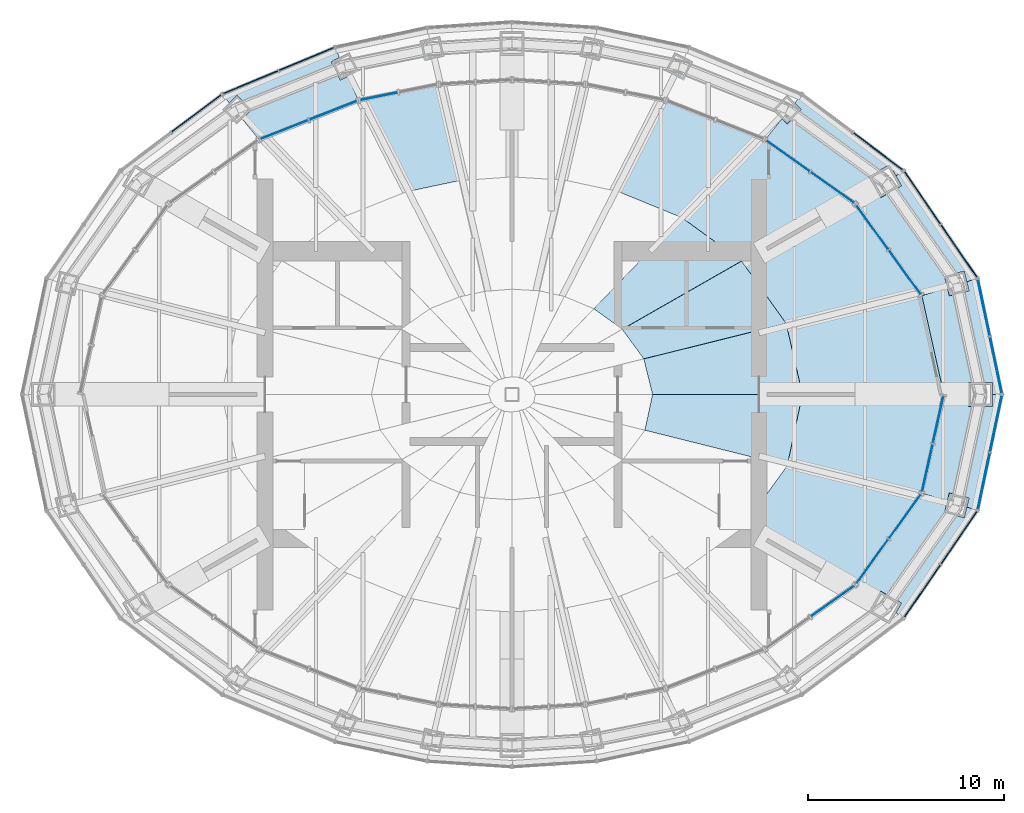
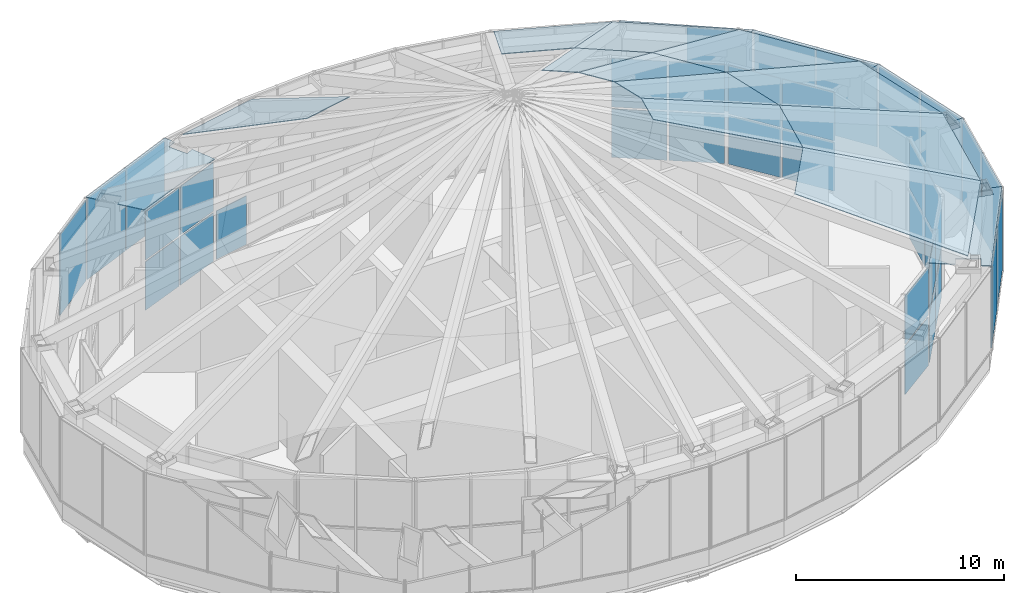
# One storey, part 17 of 21: 52 plates, 14 elements without a shape of their own.
"""IFC4 building model written with IfcOpenShell, lengths in metres."""

import ifcopenshell
import ifcopenshell.guid

model = None  # the IFC model being written
_history = None  # IfcOwnerHistory: only IFC2X3 demands one
_inside = {}  # id of a spatial element -> (the spatial element, [elements in it])
_under = {}  # id of a project, library or spatial element -> (it, [spatial elements below it])
_declared = {}  # id of a project -> (the project, [libraries it declares])
_typed = {}  # id of a type object -> (the type object, [elements of that type])
_made_of = {}  # id of a material, layer set ... -> (it, [elements and type objects made of it])


def new_model(schema):
    """Start an empty IFC model of exactly this schema.

    Asked for "IFC4X3", IfcOpenShell would pick the latest addendum, in which some entities
    have other attributes; the version numbers below select the first issue.
    IFC2X3 requires an IfcOwnerHistory on every rooted entity: one is made here for all.
    """
    global model, _history
    if schema == "IFC4X3":
        model = ifcopenshell.file(schema_version=(4, 3, 0, 0))
    else:
        model = ifcopenshell.file(schema=schema)
    _inside.clear()
    _under.clear()
    _declared.clear()
    _typed.clear()
    _made_of.clear()
    _history = None
    if model.schema == "IFC2X3":
        org = make("IfcOrganization", Name="unknown")
        user = make(
            "IfcPersonAndOrganization",
            ThePerson=make("IfcPerson", FamilyName="unknown"),
            TheOrganization=org,
        )
        app = make(
            "IfcApplication",
            ApplicationDeveloper=org,
            Version="unknown",
            ApplicationFullName="unknown",
            ApplicationIdentifier="unknown",
        )
        _history = make(
            "IfcOwnerHistory",
            OwningUser=user,
            OwningApplication=app,
            ChangeAction="ADDED",
            CreationDate=0,
        )
    return model


def make(cls, **values):
    """One entity of the class cls with the attributes given. An attribute that is None is left unset."""
    return model.create_entity(
        cls, **{name: value for name, value in values.items() if value is not None}
    )


def rooted(cls, **values):
    """An entity with a GlobalId (a new one), such as an element, a storey or a relation."""
    return make(cls, GlobalId=ifcopenshell.guid.new(), OwnerHistory=_history, **values)


def si_unit(unit_type, name, prefix=None):
    """IfcSIUnit, for example si_unit("LENGTHUNIT", "METRE", prefix="MILLI")."""
    return make("IfcSIUnit", UnitType=unit_type, Prefix=prefix, Name=name)


def assignment(units):
    """IfcUnitAssignment: the units of a project."""
    return None if units is None else make("IfcUnitAssignment", Units=units)


def point(xyz):
    """IfcCartesianPoint."""
    return None if xyz is None else make("IfcCartesianPoint", Coordinates=xyz)


def direction(xyz):
    """IfcDirection."""
    return None if xyz is None else make("IfcDirection", DirectionRatios=xyz)


def frame(location, z_axis=None, x_axis=None):
    """IfcAxis2Placement3D, a coordinate frame: its origin and axes. An axis left out is left unset."""
    return make(
        "IfcAxis2Placement3D",
        Location=point(location),
        Axis=direction(z_axis),
        RefDirection=direction(x_axis),
    )


def frame_2d(location, x_axis=None):
    """IfcAxis2Placement2D, a coordinate frame in the plane: its origin and x axis."""
    return make(
        "IfcAxis2Placement2D", Location=point(location), RefDirection=direction(x_axis)
    )


def origin():
    """The frame at (0, 0, 0) with its axes left unset."""
    return frame((0.0, 0.0, 0.0))


def origin_2d():
    """The frame at (0, 0) in the plane with its x axis left unset."""
    return frame_2d((0.0, 0.0))


def place(relative_to, where):
    """IfcLocalPlacement: puts the frame where relative to a parent placement (None: the world)."""
    return make(
        "IfcLocalPlacement", PlacementRelTo=relative_to, RelativePlacement=where
    )


def context(
    kind, dimensions, precision=None, world=None, true_north=None, identifier=None
):
    """IfcGeometricRepresentationContext, for example the 3D "Model" context."""
    return make(
        "IfcGeometricRepresentationContext",
        ContextIdentifier=identifier,
        ContextType=kind,
        CoordinateSpaceDimension=dimensions,
        Precision=precision,
        WorldCoordinateSystem=world,
        TrueNorth=true_north,
    )


def subcontext(parent, identifier, kind, view, scale=None):
    """IfcGeometricRepresentationSubContext, for example "Body" below "Model"."""
    return make(
        "IfcGeometricRepresentationSubContext",
        ContextIdentifier=identifier,
        ContextType=kind,
        ParentContext=parent,
        TargetScale=scale,
        TargetView=view,
    )


def project(units=None, contexts=None):
    """IfcProject with its units and contexts."""
    return rooted(
        "IfcProject",
        Name="project",
        RepresentationContexts=contexts,
        UnitsInContext=assignment(units),
    )


def spatial(cls, under=None, at=None, **own):
    """A site, building, storey or space (cls), placed at a placement, below another one or the project."""
    s = rooted(cls, ObjectPlacement=at, **own)
    if under is not None:
        _under.setdefault(under.id(), (under, []))[1].append(s)
    return s


def polyline(points):
    """IfcPolyline through the points."""
    return make("IfcPolyline", Points=[point(p) for p in points])


def profile(cls, at=None, kind="AREA", **sizes):
    """A parametric profile (cls). Its sizes go by their IFC names, for example OverallWidth=200.0."""
    return make(cls, ProfileType=kind, Position=at, **sizes)


def rectangle(**sizes):
    """IfcRectangleProfileDef."""
    return profile("IfcRectangleProfileDef", **sizes)


def outline(outer, holes=None, kind="AREA"):
    """IfcArbitraryClosedProfileDef: a profile drawn as a closed curve; with holes, ...WithVoids."""
    if holes is None:
        return make("IfcArbitraryClosedProfileDef", ProfileType=kind, OuterCurve=outer)
    return make(
        "IfcArbitraryProfileDefWithVoids",
        ProfileType=kind,
        OuterCurve=outer,
        InnerCurves=holes,
    )


def extrude(swept, where, along, depth):
    """IfcExtrudedAreaSolid: the profile swept, set in the frame where, extruded along a direction by depth."""
    return make(
        "IfcExtrudedAreaSolid",
        SweptArea=swept,
        Position=where,
        ExtrudedDirection=direction(along),
        Depth=depth,
    )


def shape(context_of_items, identifier, shape_type, items):
    """IfcShapeRepresentation: the items that make up one representation, for example the "Body"."""
    return make(
        "IfcShapeRepresentation",
        ContextOfItems=context_of_items,
        RepresentationIdentifier=identifier,
        RepresentationType=shape_type,
        Items=items,
    )


def material(Name=None, Category=None):
    """IfcMaterial."""
    return make("IfcMaterial", Name=Name, Category=Category)


def layer(
    of_material, thickness, ventilated=None, Name=None, Category=None, Priority=None
):
    """IfcMaterialLayer: one layer of a wall or slab, of a material (None: an air gap)."""
    return make(
        "IfcMaterialLayer",
        Material=of_material,
        LayerThickness=thickness,
        IsVentilated=ventilated,
        Name=Name,
        Category=Category,
        Priority=Priority,
    )


def layer_set(layers, Name=None):
    """IfcMaterialLayerSet."""
    return make("IfcMaterialLayerSet", MaterialLayers=layers, LayerSetName=Name)


def made_of(thing, what):
    """Note that an element or type object is made of a material, layer set ...; save() writes the relation."""
    if what is not None:
        _made_of.setdefault(what.id(), (what, []))[1].append(thing)
    return thing


def type_object(cls, material=None, **own):
    """A type object (cls), such as IfcWallType, which elements share."""
    return made_of(rooted(cls, **own), material)


def element(
    cls,
    number,
    at=None,
    inside=None,
    cuts=None,
    type_object=None,
    material=None,
    context=None,
    identifier="Body",
    shape_type=None,
    held_by="IfcProductDefinitionShape",
    body=None,
    shapes=None,
    **own,
):
    """One element of the class cls, such as IfcWall. Its Tag is "e" and its number.

    at: its placement. inside: the storey or other place that contains it. cuts: it is an
    opening in that element (IfcRelVoidsElement). A single representation is given by context,
    identifier, shape_type and body (its items); several are given by shapes. held_by: the class
    of the entity that holds the representations. save() writes the other relations.
    """
    e = rooted(cls, Tag="e%d" % number, ObjectPlacement=at, **own)
    if body is not None:
        shapes = [shape(context, identifier, shape_type, body)]
    if shapes is not None:
        e.Representation = make(held_by, Representations=shapes)
    if inside is not None:
        _inside.setdefault(inside.id(), (inside, []))[1].append(e)
    if cuts is not None:
        rooted(
            "IfcRelVoidsElement", RelatingBuildingElement=cuts, RelatedOpeningElement=e
        )
    if type_object is not None:
        _typed.setdefault(type_object.id(), (type_object, []))[1].append(e)
    return made_of(e, material)


def aggregate(whole, parts):
    """IfcRelAggregates: a whole, such as a stair, and the parts it consists of."""
    return rooted("IfcRelAggregates", RelatingObject=whole, RelatedObjects=parts)


def save(model, path):
    """Write the relations noted so far, then the file.

    IfcRelAggregates (storeys below a building ...), IfcRelContainedInSpatialStructure (elements
    in a storey), IfcRelDefinesByType, IfcRelAssociatesMaterial and IfcRelDeclares: one each for
    every whole, place, type object, material and project.
    """
    for whole, parts in _under.values():
        aggregate(whole, parts)
    for where, things in _inside.values():
        rooted(
            "IfcRelContainedInSpatialStructure",
            RelatedElements=things,
            RelatingStructure=where,
        )
    for kind, things in _typed.values():
        rooted("IfcRelDefinesByType", RelatedObjects=things, RelatingType=kind)
    for what, things in _made_of.values():
        rooted("IfcRelAssociatesMaterial", RelatedObjects=things, RelatingMaterial=what)
    for by, libraries in _declared.values():
        rooted("IfcRelDeclares", RelatingContext=by, RelatedDefinitions=libraries)
    model.write(path)


model = new_model("IFC4")

# Units and contexts
model_context = context("Model", 3, precision=1e-05, world=origin(), true_north=direction((0.0, 1.0)))
body_context = subcontext(model_context, "Body", "Model", "MODEL_VIEW")
ifc_project = project(units=[si_unit("LENGTHUNIT", "METRE"), si_unit("AREAUNIT", "SQUARE_METRE"), si_unit("VOLUMEUNIT", "CUBIC_METRE"), si_unit("PLANEANGLEUNIT", "RADIAN"), si_unit("MASSUNIT", "GRAM", prefix="KILO")], contexts=[model_context])

# Site, building, storey
site_placement = place(None, origin())
site = spatial("IfcSite", under=ifc_project, at=site_placement, CompositionType="ELEMENT")
building_placement = place(site_placement, origin())
building = spatial("IfcBuilding", under=site, at=building_placement, Name="Lantaw Convention Tower", CompositionType="ELEMENT")
storey_placement = place(building_placement, frame((0.0, 0.0, 290.39990234375)))
storey = spatial("IfcBuildingStorey", under=building, at=storey_placement, Name="L67", CompositionType="ELEMENT", Elevation=290.39990234375)

# Curtain wall, plates
ifc_material_1 = material(Name="Aluminium framed curtain wall", Category="aluminium")
curtain_wall_type_1 = type_object("IfcCurtainWallType", Name="LANTERN glazing curtain wall, pale aluminium", PredefinedType="USERDEFINED", material=ifc_material_1)
curtain_wall_1_placement = place(storey_placement, origin())
curtain_wall_1 = element("IfcCurtainWall", 1, at=curtain_wall_1_placement, inside=storey, type_object=curtain_wall_type_1, Name="LANTERN glazing curtain wall, pale aluminium L67", ObjectType="LANTERN GLAZING", PredefinedType="USERDEFINED")
ifc_material_2 = material(Name="Low-iron laminated glass", Category="glass")
ifc_layer_1 = layer(ifc_material_2, 0.035888671875)
ifc_layer_set_1 = layer_set([ifc_layer_1], Name="CW-LN panel 36")
plate_type_1 = type_object("IfcPlateType", Name="CW-LN panel 36", PredefinedType="CURTAIN_PANEL", material=ifc_layer_set_1)
plate_1_placement = place(storey_placement, frame((20.04638671875, 6.2255859375, 0.10009765625), z_axis=(0.0, 0.0, 1.0), x_axis=(-0.586786346995, 0.809741800193, 0.0)))
plate_1 = element("IfcPlate", 2, at=plate_1_placement, type_object=plate_type_1, Name="CW-LN panel 1.1", PredefinedType="CURTAIN_PANEL", context=body_context, shape_type="SweptSolid", body=[
    extrude(rectangle(XDim=2.73876953125, YDim=0.035888671875, at=origin_2d()), origin(), (0.0, 0.0, 1.0), 2.85009765625),
])
plate_2_placement = place(storey_placement, frame((20.04638671875, 6.2255859375, 3.050048828125), z_axis=(0.0, 0.0, 1.0), x_axis=(-0.586786346995, 0.809741800193, 0.0)))
plate_2 = element("IfcPlate", 3, at=plate_2_placement, type_object=plate_type_1, Name="CW-LN panel 1.2", PredefinedType="CURTAIN_PANEL", context=body_context, shape_type="SweptSolid", body=[
    extrude(rectangle(XDim=2.73876953125, YDim=0.035888671875, at=origin_2d()), origin(), (0.0, 0.0, 1.0), 2.85009765625),
])
plate_3_placement = place(storey_placement, frame((18.380615234375, 8.524169921875, 0.10009765625), z_axis=(0.0, 0.0, 1.0), x_axis=(-0.586786346995, 0.809741800193, 0.0)))
plate_3 = element("IfcPlate", 4, at=plate_3_placement, type_object=plate_type_1, Name="CW-LN panel 2.1", PredefinedType="CURTAIN_PANEL", context=body_context, shape_type="SweptSolid", body=[
    extrude(rectangle(XDim=2.73876953125, YDim=0.035888671875, at=origin_2d()), origin(), (0.0, 0.0, 1.0), 2.85009765625),
])
plate_4_placement = place(storey_placement, frame((18.380615234375, 8.524169921875, 3.050048828125), z_axis=(0.0, 0.0, 1.0), x_axis=(-0.586786346995, 0.809741800193, 0.0)))
plate_4 = element("IfcPlate", 5, at=plate_4_placement, type_object=plate_type_1, Name="CW-LN panel 2.2", PredefinedType="CURTAIN_PANEL", context=body_context, shape_type="SweptSolid", body=[
    extrude(rectangle(XDim=2.73876953125, YDim=0.035888671875, at=origin_2d()), origin(), (0.0, 0.0, 1.0), 2.85009765625),
])
aggregate(curtain_wall_1, [plate_1, plate_2, plate_3, plate_4])

curtain_wall_2_placement = place(storey_placement, origin())
curtain_wall_2 = element("IfcCurtainWall", 6, at=curtain_wall_2_placement, inside=storey, type_object=curtain_wall_type_1, Name="LANTERN glazing curtain wall, pale aluminium L67", ObjectType="LANTERN GLAZING", PredefinedType="USERDEFINED")
plate_5_placement = place(storey_placement, frame((16.344970703125, 10.549072265625, 0.10009765625), z_axis=(0.0, 0.0, 1.0), x_axis=(-0.814841441337, 0.579683901346, 0.0)))
plate_5 = element("IfcPlate", 7, at=plate_5_placement, type_object=plate_type_1, Name="CW-LN panel 1.1", PredefinedType="CURTAIN_PANEL", context=body_context, shape_type="SweptSolid", body=[
    extrude(rectangle(XDim=2.680419921875, YDim=0.035888671875, at=origin_2d()), origin(), (0.0, 0.0, 1.0), 2.85009765625),
])
plate_6_placement = place(storey_placement, frame((16.344970703125, 10.549072265625, 3.050048828125), z_axis=(0.0, 0.0, 1.0), x_axis=(-0.814841441337, 0.579683901346, 0.0)))
plate_6 = element("IfcPlate", 8, at=plate_6_placement, type_object=plate_type_1, Name="CW-LN panel 1.2", PredefinedType="CURTAIN_PANEL", context=body_context, shape_type="SweptSolid", body=[
    extrude(rectangle(XDim=2.680419921875, YDim=0.035888671875, at=origin_2d()), origin(), (0.0, 0.0, 1.0), 2.85009765625),
])
plate_7_placement = place(storey_placement, frame((14.079345703125, 12.16064453125, 0.10009765625), z_axis=(0.0, 0.0, 1.0), x_axis=(-0.814841441337, 0.579683901346, 0.0)))
plate_7 = element("IfcPlate", 9, at=plate_7_placement, type_object=plate_type_1, Name="CW-LN panel 2.1", PredefinedType="CURTAIN_PANEL", context=body_context, shape_type="SweptSolid", body=[
    extrude(rectangle(XDim=2.680419921875, YDim=0.035888671875, at=origin_2d()), origin(), (0.0, 0.0, 1.0), 2.85009765625),
])
plate_8_placement = place(storey_placement, frame((14.079345703125, 12.16064453125, 3.050048828125), z_axis=(0.0, 0.0, 1.0), x_axis=(-0.814841441337, 0.579683901346, 0.0)))
plate_8 = element("IfcPlate", 10, at=plate_8_placement, type_object=plate_type_1, Name="CW-LN panel 2.2", PredefinedType="CURTAIN_PANEL", context=body_context, shape_type="SweptSolid", body=[
    extrude(rectangle(XDim=2.680419921875, YDim=0.035888671875, at=origin_2d()), origin(), (0.0, 0.0, 1.0), 2.85009765625),
])
aggregate(curtain_wall_2, [plate_5, plate_6, plate_7, plate_8])

# Curtain wall, plate
curtain_wall_3_placement = place(storey_placement, origin())
curtain_wall_3 = element("IfcCurtainWall", 11, at=curtain_wall_3_placement, inside=storey, type_object=curtain_wall_type_1, Name="LANTERN glazing curtain wall, pale aluminium L67", ObjectType="LANTERN GLAZING", PredefinedType="USERDEFINED")
plate_9_placement = place(storey_placement, frame((-6.789306640625, 15.2041015625, 0.10009765625), z_axis=(0.0, 0.0, 1.0), x_axis=(-0.980530423622, -0.196367228305, 0.0)))
plate_9 = element("IfcPlate", 12, at=plate_9_placement, type_object=plate_type_1, Name="CW-LN panel 2.1", PredefinedType="CURTAIN_PANEL", context=body_context, shape_type="SweptSolid", body=[
    extrude(rectangle(XDim=1.936279296875, YDim=0.035888671875, at=origin_2d()), origin(), (0.0, 0.0, 1.0), 2.85009765625),
])
aggregate(curtain_wall_3, [plate_9])

# Curtain wall, plates
curtain_wall_4_placement = place(storey_placement, origin())
curtain_wall_4 = element("IfcCurtainWall", 13, at=curtain_wall_4_placement, inside=storey, type_object=curtain_wall_type_1, Name="LANTERN glazing curtain wall, pale aluminium L67", ObjectType="LANTERN GLAZING", PredefinedType="USERDEFINED")
plate_10_placement = place(storey_placement, frame((-9.127197265625, 14.4853515625, 0.10009765625), z_axis=(0.0, 0.0, 1.0), x_axis=(-0.930299050885, -0.366801957358, 0.0)))
plate_10 = element("IfcPlate", 14, at=plate_10_placement, type_object=plate_type_1, Name="CW-LN panel 1.1", PredefinedType="CURTAIN_PANEL", context=body_context, shape_type="SweptSolid", body=[
    extrude(rectangle(XDim=2.574462890625, YDim=0.035888671875, at=origin_2d()), origin(), (0.0, 0.0, 1.0), 2.85009765625),
])
plate_11_placement = place(storey_placement, frame((-9.127197265625, 14.4853515625, 3.050048828125), z_axis=(0.0, 0.0, 1.0), x_axis=(-0.930299050885, -0.366801957358, 0.0)))
plate_11 = element("IfcPlate", 15, at=plate_11_placement, type_object=plate_type_1, Name="CW-LN panel 1.2", PredefinedType="CURTAIN_PANEL", context=body_context, shape_type="SweptSolid", body=[
    extrude(rectangle(XDim=2.574462890625, YDim=0.035888671875, at=origin_2d()), origin(), (0.0, 0.0, 1.0), 2.85009765625),
])
plate_12_placement = place(storey_placement, frame((-11.615234375, 13.50439453125, 0.10009765625), z_axis=(0.0, 0.0, 1.0), x_axis=(-0.930299050885, -0.366801957358, 0.0)))
plate_12 = element("IfcPlate", 16, at=plate_12_placement, type_object=plate_type_1, Name="CW-LN panel 2.1", PredefinedType="CURTAIN_PANEL", context=body_context, shape_type="SweptSolid", body=[
    extrude(rectangle(XDim=2.574462890625, YDim=0.035888671875, at=origin_2d()), origin(), (0.0, 0.0, 1.0), 2.85009765625),
])
plate_13_placement = place(storey_placement, frame((-11.615234375, 13.50439453125, 3.050048828125), z_axis=(0.0, 0.0, 1.0), x_axis=(-0.930299050885, -0.366801957358, 0.0)))
plate_13 = element("IfcPlate", 17, at=plate_13_placement, type_object=plate_type_1, Name="CW-LN panel 2.2", PredefinedType="CURTAIN_PANEL", context=body_context, shape_type="SweptSolid", body=[
    extrude(rectangle(XDim=2.574462890625, YDim=0.035888671875, at=origin_2d()), origin(), (0.0, 0.0, 1.0), 2.85009765625),
])
aggregate(curtain_wall_4, [plate_10, plate_11, plate_12, plate_13])

curtain_wall_5_placement = place(storey_placement, origin())
curtain_wall_5 = element("IfcCurtainWall", 18, at=curtain_wall_5_placement, inside=storey, type_object=curtain_wall_type_1, Name="LANTERN glazing curtain wall, pale aluminium L67", ObjectType="LANTERN GLAZING", PredefinedType="USERDEFINED")
plate_14_placement = place(storey_placement, frame((16.344970703125, -10.549072265625, 0.10009765625), z_axis=(0.0, 0.0, 1.0), x_axis=(0.814841441337, 0.579683901346, 0.0)))
plate_14 = element("IfcPlate", 19, at=plate_14_placement, type_object=plate_type_1, Name="CW-LN panel 2.1", PredefinedType="CURTAIN_PANEL", context=body_context, shape_type="SweptSolid", body=[
    extrude(rectangle(XDim=2.680419921875, YDim=0.035888671875, at=origin_2d()), origin(), (0.0, 0.0, 1.0), 2.85009765625),
])
plate_15_placement = place(storey_placement, frame((16.344970703125, -10.549072265625, 3.050048828125), z_axis=(0.0, 0.0, 1.0), x_axis=(0.814841441337, 0.579683901346, 0.0)))
plate_15 = element("IfcPlate", 20, at=plate_15_placement, type_object=plate_type_1, Name="CW-LN panel 2.2", PredefinedType="CURTAIN_PANEL", context=body_context, shape_type="SweptSolid", body=[
    extrude(rectangle(XDim=2.680419921875, YDim=0.035888671875, at=origin_2d()), origin(), (0.0, 0.0, 1.0), 2.85009765625),
])
aggregate(curtain_wall_5, [plate_14, plate_15])

curtain_wall_6_placement = place(storey_placement, origin())
curtain_wall_6 = element("IfcCurtainWall", 21, at=curtain_wall_6_placement, inside=storey, type_object=curtain_wall_type_1, Name="LANTERN glazing curtain wall, pale aluminium L67", ObjectType="LANTERN GLAZING", PredefinedType="USERDEFINED")
plate_16_placement = place(storey_placement, frame((18.380615234375, -8.524169921875, 0.10009765625), z_axis=(0.0, 0.0, 1.0), x_axis=(0.586786346995, 0.809741800193, 0.0)))
plate_16 = element("IfcPlate", 22, at=plate_16_placement, type_object=plate_type_1, Name="CW-LN panel 1.1", PredefinedType="CURTAIN_PANEL", context=body_context, shape_type="SweptSolid", body=[
    extrude(rectangle(XDim=2.73876953125, YDim=0.035888671875, at=origin_2d()), origin(), (0.0, 0.0, 1.0), 2.85009765625),
])
plate_17_placement = place(storey_placement, frame((18.380615234375, -8.524169921875, 3.050048828125), z_axis=(0.0, 0.0, 1.0), x_axis=(0.586786346995, 0.809741800193, 0.0)))
plate_17 = element("IfcPlate", 23, at=plate_17_placement, type_object=plate_type_1, Name="CW-LN panel 1.2", PredefinedType="CURTAIN_PANEL", context=body_context, shape_type="SweptSolid", body=[
    extrude(rectangle(XDim=2.73876953125, YDim=0.035888671875, at=origin_2d()), origin(), (0.0, 0.0, 1.0), 2.85009765625),
])
plate_18_placement = place(storey_placement, frame((20.04638671875, -6.2255859375, 0.10009765625), z_axis=(0.0, 0.0, 1.0), x_axis=(0.586786346995, 0.809741800193, 0.0)))
plate_18 = element("IfcPlate", 24, at=plate_18_placement, type_object=plate_type_1, Name="CW-LN panel 2.1", PredefinedType="CURTAIN_PANEL", context=body_context, shape_type="SweptSolid", body=[
    extrude(rectangle(XDim=2.73876953125, YDim=0.035888671875, at=origin_2d()), origin(), (0.0, 0.0, 1.0), 2.85009765625),
])
plate_19_placement = place(storey_placement, frame((20.04638671875, -6.2255859375, 3.050048828125), z_axis=(0.0, 0.0, 1.0), x_axis=(0.586786346995, 0.809741800193, 0.0)))
plate_19 = element("IfcPlate", 25, at=plate_19_placement, type_object=plate_type_1, Name="CW-LN panel 2.2", PredefinedType="CURTAIN_PANEL", context=body_context, shape_type="SweptSolid", body=[
    extrude(rectangle(XDim=2.73876953125, YDim=0.035888671875, at=origin_2d()), origin(), (0.0, 0.0, 1.0), 2.85009765625),
])
aggregate(curtain_wall_6, [plate_16, plate_17, plate_18, plate_19])

curtain_wall_7_placement = place(storey_placement, origin())
curtain_wall_7 = element("IfcCurtainWall", 26, at=curtain_wall_7_placement, inside=storey, type_object=curtain_wall_type_1, Name="LANTERN glazing curtain wall, pale aluminium L67", ObjectType="LANTERN GLAZING", PredefinedType="USERDEFINED")
plate_20_placement = place(storey_placement, frame((21.193603515625, -3.75244140625, 0.10009765625), z_axis=(0.0, 0.0, 1.0), x_axis=(0.216765379683, 0.976223729568, 0.0)))
plate_20 = element("IfcPlate", 27, at=plate_20_placement, type_object=plate_type_1, Name="CW-LN panel 1.1", PredefinedType="CURTAIN_PANEL", context=body_context, shape_type="SweptSolid", body=[
    extrude(rectangle(XDim=2.42919921875, YDim=0.035888671875, at=origin_2d()), origin(), (0.0, 0.0, 1.0), 2.85009765625),
])
plate_21_placement = place(storey_placement, frame((21.193603515625, -3.75244140625, 3.050048828125), z_axis=(0.0, 0.0, 1.0), x_axis=(0.216765379683, 0.976223729568, 0.0)))
plate_21 = element("IfcPlate", 28, at=plate_21_placement, type_object=plate_type_1, Name="CW-LN panel 1.2", PredefinedType="CURTAIN_PANEL", context=body_context, shape_type="SweptSolid", body=[
    extrude(rectangle(XDim=2.42919921875, YDim=0.035888671875, at=origin_2d()), origin(), (0.0, 0.0, 1.0), 2.85009765625),
])
plate_22_placement = place(storey_placement, frame((21.741943359375, -1.283203125, 0.10009765625), z_axis=(0.0, 0.0, 1.0), x_axis=(0.216765379683, 0.976223729568, 0.0)))
plate_22 = element("IfcPlate", 29, at=plate_22_placement, type_object=plate_type_1, Name="CW-LN panel 2.1", PredefinedType="CURTAIN_PANEL", context=body_context, shape_type="SweptSolid", body=[
    extrude(rectangle(XDim=2.42919921875, YDim=0.035888671875, at=origin_2d()), origin(), (0.0, 0.0, 1.0), 2.85009765625),
])
plate_23_placement = place(storey_placement, frame((21.741943359375, -1.283203125, 3.050048828125), z_axis=(0.0, 0.0, 1.0), x_axis=(0.216765379683, 0.976223729568, 0.0)))
plate_23 = element("IfcPlate", 30, at=plate_23_placement, type_object=plate_type_1, Name="CW-LN panel 2.2", PredefinedType="CURTAIN_PANEL", context=body_context, shape_type="SweptSolid", body=[
    extrude(rectangle(XDim=2.42919921875, YDim=0.035888671875, at=origin_2d()), origin(), (0.0, 0.0, 1.0), 2.85009765625),
])
aggregate(curtain_wall_7, [plate_20, plate_21, plate_22, plate_23])

curtain_wall_type_2 = type_object("IfcCurtainWallType", Name="Plant floor louvre wall, pale aluminium", PredefinedType="USERDEFINED", material=ifc_material_1)
curtain_wall_8_placement = place(storey_placement, origin())
curtain_wall_8 = element("IfcCurtainWall", 31, at=curtain_wall_8_placement, inside=storey, type_object=curtain_wall_type_2, Name="Plant floor louvre wall, pale aluminium L67", ObjectType="LOUVRE WALL", PredefinedType="USERDEFINED")
ifc_material_3 = material(Name="Aluminium louvre blades", Category="aluminium")
ifc_layer_2 = layer(ifc_material_3, 0.050048828125)
ifc_layer_set_2 = layer_set([ifc_layer_2], Name="CW-LV panel 50")
plate_type_2 = type_object("IfcPlateType", Name="CW-LV panel 50", PredefinedType="CURTAIN_PANEL", material=ifc_layer_set_2)
plate_24_placement = place(storey_placement, frame((24.68505859375, 1.497802734375, 1.169921875), z_axis=(0.0, 0.0, 1.0), x_axis=(-0.205814054946, 0.978591117263, 0.0)))
plate_24 = element("IfcPlate", 32, at=plate_24_placement, type_object=plate_type_2, Name="CW-LV panel 1.1", PredefinedType="CURTAIN_PANEL", context=body_context, shape_type="SweptSolid", body=[
    extrude(rectangle(XDim=2.921142578125, YDim=0.050048828125, at=origin_2d()), origin(), (0.0, 0.0, 1.0), 4.760009765625),
])
plate_25_placement = place(storey_placement, frame((24.0693359375, 4.4248046875, 1.169921875), z_axis=(0.0, 0.0, 1.0), x_axis=(-0.205814054946, 0.978591117263, 0.0)))
plate_25 = element("IfcPlate", 33, at=plate_25_placement, type_object=plate_type_2, Name="CW-LV panel 2.1", PredefinedType="CURTAIN_PANEL", context=body_context, shape_type="SweptSolid", body=[
    extrude(rectangle(XDim=2.921142578125, YDim=0.050048828125, at=origin_2d()), origin(), (0.0, 0.0, 1.0), 4.760009765625),
])
aggregate(curtain_wall_8, [plate_24, plate_25])

curtain_wall_9_placement = place(storey_placement, origin())
curtain_wall_9 = element("IfcCurtainWall", 34, at=curtain_wall_9_placement, inside=storey, type_object=curtain_wall_type_2, Name="Plant floor louvre wall, pale aluminium L67", ObjectType="LOUVRE WALL", PredefinedType="USERDEFINED")
plate_26_placement = place(storey_placement, frame((22.80126953125, 7.31103515625, 1.169921875), z_axis=(0.0, 0.0, 1.0), x_axis=(-0.565934832921, 0.824449977189, 0.0)))
plate_26 = element("IfcPlate", 35, at=plate_26_placement, type_object=plate_type_2, Name="CW-LV panel 1.1", PredefinedType="CURTAIN_PANEL", context=body_context, shape_type="SweptSolid", body=[
    extrude(rectangle(XDim=3.22802734375, YDim=0.050048828125, at=origin_2d()), origin(), (0.0, 0.0, 1.0), 4.760009765625),
])
plate_27_placement = place(storey_placement, frame((20.93505859375, 10.030029296875, 1.169921875), z_axis=(0.0, 0.0, 1.0), x_axis=(-0.565934832921, 0.824449977189, 0.0)))
plate_27 = element("IfcPlate", 36, at=plate_27_placement, type_object=plate_type_2, Name="CW-LV panel 2.1", PredefinedType="CURTAIN_PANEL", context=body_context, shape_type="SweptSolid", body=[
    extrude(rectangle(XDim=3.22802734375, YDim=0.050048828125, at=origin_2d()), origin(), (0.0, 0.0, 1.0), 4.760009765625),
])
aggregate(curtain_wall_9, [plate_26, plate_27])

# Curtain wall, plate
curtain_wall_10_placement = place(storey_placement, origin())
curtain_wall_10 = element("IfcCurtainWall", 37, at=curtain_wall_10_placement, inside=storey, type_object=curtain_wall_type_2, Name="Plant floor louvre wall, pale aluminium L67", ObjectType="LOUVRE WALL", PredefinedType="USERDEFINED")
plate_28_placement = place(storey_placement, frame((18.67041015625, 12.403564453125, 1.169921875), z_axis=(0.0, 0.0, 1.0), x_axis=(-0.799517528732, 0.600642756762, 0.0)))
plate_28 = element("IfcPlate", 38, at=plate_28_placement, type_object=plate_type_2, Name="CW-LV panel 1.1", PredefinedType="CURTAIN_PANEL", context=body_context, shape_type="SweptSolid", body=[
    extrude(rectangle(XDim=3.140869140625, YDim=0.050048828125, at=origin_2d()), origin(), (0.0, 0.0, 1.0), 4.760009765625),
])
aggregate(curtain_wall_10, [plate_28])

# Curtain wall, plates
curtain_wall_11_placement = place(storey_placement, origin())
curtain_wall_11 = element("IfcCurtainWall", 39, at=curtain_wall_11_placement, inside=storey, type_object=curtain_wall_type_2, Name="Plant floor louvre wall, pale aluminium L67", ObjectType="LOUVRE WALL", PredefinedType="USERDEFINED")
plate_29_placement = place(storey_placement, frame((-10.48486328125, 17.111083984375, 1.169921875), z_axis=(0.0, 0.0, 1.0), x_axis=(-0.923141777124, -0.384459697924, 0.0)))
plate_29 = element("IfcPlate", 40, at=plate_29_placement, type_object=plate_type_2, Name="CW-LV panel 1.1", PredefinedType="CURTAIN_PANEL", context=body_context, shape_type="SweptSolid", body=[
    extrude(rectangle(XDim=3.01708984375, YDim=0.050048828125, at=origin_2d()), origin(), (0.0, 0.0, 1.0), 4.760009765625),
])
plate_30_placement = place(storey_placement, frame((-13.334716796875, 15.92431640625, 1.169921875), z_axis=(0.0, 0.0, 1.0), x_axis=(-0.923141777124, -0.384459697924, 0.0)))
plate_30 = element("IfcPlate", 41, at=plate_30_placement, type_object=plate_type_2, Name="CW-LV panel 2.1", PredefinedType="CURTAIN_PANEL", context=body_context, shape_type="SweptSolid", body=[
    extrude(rectangle(XDim=3.01708984375, YDim=0.050048828125, at=origin_2d()), origin(), (0.0, 0.0, 1.0), 4.760009765625),
])
aggregate(curtain_wall_11, [plate_29, plate_30])

# Curtain wall, plate
curtain_wall_12_placement = place(storey_placement, origin())
curtain_wall_12 = element("IfcCurtainWall", 42, at=curtain_wall_12_placement, inside=storey, type_object=curtain_wall_type_2, Name="Plant floor louvre wall, pale aluminium L67", ObjectType="LOUVRE WALL", PredefinedType="USERDEFINED")
plate_31_placement = place(storey_placement, frame((-16.103271484375, 14.33203125, 1.169921875), z_axis=(0.0, 0.0, 1.0), x_axis=(-0.799517528732, -0.600642756762, 0.0)))
plate_31 = element("IfcPlate", 43, at=plate_31_placement, type_object=plate_type_2, Name="CW-LV panel 1.1", PredefinedType="CURTAIN_PANEL", context=body_context, shape_type="SweptSolid", body=[
    extrude(rectangle(XDim=3.140869140625, YDim=0.050048828125, at=origin_2d()), origin(), (0.0, 0.0, 1.0), 4.760009765625),
])
aggregate(curtain_wall_12, [plate_31])

# Curtain wall, plates
curtain_wall_13_placement = place(storey_placement, origin())
curtain_wall_13 = element("IfcCurtainWall", 44, at=curtain_wall_13_placement, inside=storey, type_object=curtain_wall_type_2, Name="Plant floor louvre wall, pale aluminium L67", ObjectType="LOUVRE WALL", PredefinedType="USERDEFINED")
plate_32_placement = place(storey_placement, frame((20.93505859375, -10.030029296875, 1.169921875), z_axis=(0.0, 0.0, 1.0), x_axis=(0.565934832921, 0.824449977189, 0.0)))
plate_32 = element("IfcPlate", 45, at=plate_32_placement, type_object=plate_type_2, Name="CW-LV panel 1.1", PredefinedType="CURTAIN_PANEL", context=body_context, shape_type="SweptSolid", body=[
    extrude(rectangle(XDim=3.22802734375, YDim=0.050048828125, at=origin_2d()), origin(), (0.0, 0.0, 1.0), 4.760009765625),
])
plate_33_placement = place(storey_placement, frame((22.80126953125, -7.31103515625, 1.169921875), z_axis=(0.0, 0.0, 1.0), x_axis=(0.565934832921, 0.824449977189, 0.0)))
plate_33 = element("IfcPlate", 46, at=plate_33_placement, type_object=plate_type_2, Name="CW-LV panel 2.1", PredefinedType="CURTAIN_PANEL", context=body_context, shape_type="SweptSolid", body=[
    extrude(rectangle(XDim=3.22802734375, YDim=0.050048828125, at=origin_2d()), origin(), (0.0, 0.0, 1.0), 4.760009765625),
])
aggregate(curtain_wall_13, [plate_32, plate_33])

curtain_wall_14_placement = place(storey_placement, origin())
curtain_wall_14 = element("IfcCurtainWall", 47, at=curtain_wall_14_placement, inside=storey, type_object=curtain_wall_type_2, Name="Plant floor louvre wall, pale aluminium L67", ObjectType="LOUVRE WALL", PredefinedType="USERDEFINED")
plate_34_placement = place(storey_placement, frame((24.0693359375, -4.4248046875, 1.169921875), z_axis=(0.0, 0.0, 1.0), x_axis=(0.205814054946, 0.978591117263, 0.0)))
plate_34 = element("IfcPlate", 48, at=plate_34_placement, type_object=plate_type_2, Name="CW-LV panel 1.1", PredefinedType="CURTAIN_PANEL", context=body_context, shape_type="SweptSolid", body=[
    extrude(rectangle(XDim=2.921142578125, YDim=0.050048828125, at=origin_2d()), origin(), (0.0, 0.0, 1.0), 4.760009765625),
])
plate_35_placement = place(storey_placement, frame((24.68505859375, -1.497802734375, 1.169921875), z_axis=(0.0, 0.0, 1.0), x_axis=(0.205814054946, 0.978591117263, 0.0)))
plate_35 = element("IfcPlate", 49, at=plate_35_placement, type_object=plate_type_2, Name="CW-LV panel 2.1", PredefinedType="CURTAIN_PANEL", context=body_context, shape_type="SweptSolid", body=[
    extrude(rectangle(XDim=2.921142578125, YDim=0.050048828125, at=origin_2d()), origin(), (0.0, 0.0, 1.0), 4.760009765625),
])
aggregate(curtain_wall_14, [plate_34, plate_35])

# Plates
ifc_material_4 = material(Name="Aluminium composite panel, pale silver", Category="aluminium")
ifc_layer_3 = layer(ifc_material_4, 0.050048828125)
ifc_layer_set_3 = layer_set([ifc_layer_3], Name="LANTERN eaves panel 50")
plate_type_3 = type_object("IfcPlateType", Name="LANTERN eaves panel 50", PredefinedType="SHEET", material=ifc_layer_set_3)
plate_36_placement = place(storey_placement, frame((0.0, 0.0, 6.0)))
element("IfcPlate", 50, at=plate_36_placement, inside=storey, type_object=plate_type_3, Name="LANTERN eaves panel", PredefinedType="SHEET", context=body_context, shape_type="SweptSolid", body=[
    extrude(outline(polyline([(22.02685546875, 0.0), (23.280029296875, 0.0), (23.280029296875, 0.6201171875), (24.52001953125, 0.6201171875), (24.52001953125, 0.0), (25.0, 0.0), (23.75439453125, 5.922607421875), (23.19970703125, 5.749755859375), (23.3173828125, 5.27783203125), (22.308349609375, 5.026123046875), (22.205078125, 5.439697265625), (20.90869140625, 5.03564453125), (22.02685546875, 0.0)])), origin(), (0.0, 0.0, 1.0), 0.050048828125),
])
plate_37_placement = place(storey_placement, frame((0.0, 0.0, 6.0)))
element("IfcPlate", 51, at=plate_37_placement, inside=storey, type_object=plate_type_3, Name="LANTERN eaves panel", PredefinedType="SHEET", context=body_context, shape_type="SweptSolid", body=[
    extrude(outline(polyline([(20.90869140625, 5.03564453125), (22.205078125, 5.439697265625), (22.056640625, 6.03515625), (23.06591796875, 6.286865234375), (23.19970703125, 5.749755859375), (23.75439453125, 5.922607421875), (19.98193359375, 11.418212890625), (19.585693359375, 11.144287109375), (19.872802734375, 10.641845703125), (18.796142578125, 10.026611328125), (18.562255859375, 10.43603515625), (17.518310546875, 9.714111328125), (20.90869140625, 5.03564453125)])), origin(), (0.0, 0.0, 1.0), 0.050048828125),
])
plate_38_placement = place(storey_placement, frame((0.0, 0.0, 6.0)))
element("IfcPlate", 52, at=plate_38_placement, inside=storey, type_object=plate_type_3, Name="LANTERN eaves panel", PredefinedType="SHEET", context=body_context, shape_type="SweptSolid", body=[
    extrude(outline(polyline([(17.518310546875, 9.714111328125), (18.562255859375, 10.43603515625), (18.180908203125, 11.103271484375), (19.257568359375, 11.718505859375), (19.585693359375, 11.144287109375), (19.98193359375, 11.418212890625), (14.791748046875, 15.3173828125), (14.4248046875, 14.865478515625), (14.762939453125, 14.5390625), (14.04052734375, 13.790771484375), (13.7666015625, 14.055419921875), (12.90576171875, 12.99560546875), (17.518310546875, 9.714111328125)])), origin(), (0.0, 0.0, 1.0), 0.050048828125),
])
plate_39_placement = place(storey_placement, frame((0.0, 0.0, 6.0)))
element("IfcPlate", 53, at=plate_39_placement, inside=storey, type_object=plate_type_3, Name="LANTERN eaves panel", PredefinedType="SHEET", context=body_context, shape_type="SweptSolid", body=[
    extrude(outline(polyline([(-7.83642578125, 14.994384765625), (-8.37744140625, 16.231201171875), (-8.755615234375, 16.038330078125), (-9.227783203125, 16.965087890625), (-8.794921875, 17.185546875), (-9.02783203125, 17.718017578125), (-14.791748046875, 15.3173828125), (-14.4248046875, 14.865478515625), (-14.014892578125, 15.261474609375), (-13.29248046875, 14.51318359375), (-13.7666015625, 14.055419921875), (-12.90576171875, 12.99560546875), (-7.83642578125, 14.994384765625)])), origin(), (0.0, 0.0, 1.0), 0.050048828125),
])
plate_40_placement = place(storey_placement, frame((0.0, 0.0, 6.0)))
element("IfcPlate", 54, at=plate_40_placement, inside=storey, type_object=plate_type_3, Name="LANTERN eaves panel", PredefinedType="SHEET", context=body_context, shape_type="SweptSolid", body=[
    extrude(outline(polyline([(17.518310546875, -9.714111328125), (18.562255859375, -10.43603515625), (18.796142578125, -10.026611328125), (19.872802734375, -10.641845703125), (19.585693359375, -11.144287109375), (19.98193359375, -11.418212890625), (23.75439453125, -5.922607421875), (23.19970703125, -5.749755859375), (23.06591796875, -6.286865234375), (22.056640625, -6.03515625), (22.205078125, -5.439697265625), (20.90869140625, -5.03564453125), (17.518310546875, -9.714111328125)])), origin(), (0.0, 0.0, 1.0), 0.050048828125),
])
plate_41_placement = place(storey_placement, frame((0.0, 0.0, 6.0)))
element("IfcPlate", 55, at=plate_41_placement, inside=storey, type_object=plate_type_3, Name="LANTERN eaves panel", PredefinedType="SHEET", context=body_context, shape_type="SweptSolid", body=[
    extrude(outline(polyline([(20.90869140625, -5.03564453125), (22.205078125, -5.439697265625), (22.308349609375, -5.026123046875), (23.3173828125, -5.27783203125), (23.19970703125, -5.749755859375), (23.75439453125, -5.922607421875), (25.0, 0.0), (24.52001953125, 0.0), (24.52001953125, -0.6201171875), (23.280029296875, -0.6201171875), (23.280029296875, 0.0), (22.02685546875, 0.0), (20.90869140625, -5.03564453125)])), origin(), (0.0, 0.0, 1.0), 0.050048828125),
])
ifc_layer_4 = layer(ifc_material_2, 0.035888671875)
ifc_layer_set_4 = layer_set([ifc_layer_4], Name="LANTERN roof glass 36")
plate_type_4 = type_object("IfcPlateType", Name="LANTERN roof glass 36", PredefinedType="SHEET", material=ifc_layer_set_4)
plate_42_placement = place(storey_placement, frame((23.89990234375, 0.0, 6.6884765625), z_axis=(0.373349324364, 0.080054786396, 0.924230227363), x_axis=(-0.218905664324, 0.97573818458, 0.003912196142)))
element("IfcPlate", 56, at=plate_42_placement, inside=storey, type_object=plate_type_4, Name="LANTERN roof glass", PredefinedType="SHEET", context=body_context, shape_type="SweptSolid", body=[
    extrude(outline(polyline([(0.0, 0.0), (5.917741434825973, -3.3306690738754696e-16), (5.721796775355795, 9.610684773387858), (2.002407318998966, 9.587939836861814), (0.0, 0.0)])), origin(), (0.0, 0.0, -1.0), 0.035888671875),
])
plate_43_placement = place(storey_placement, frame((14.818115234375, 0.0, 10.357177734375), z_axis=(0.373362294268, 0.08005337944, 0.92422510984), x_axis=(-0.224412701388, 0.974474147928, 0.00625095799)))
element("IfcPlate", 57, at=plate_43_placement, inside=storey, type_object=plate_type_4, Name="LANTERN roof glass", PredefinedType="SHEET", context=body_context, shape_type="SweptSolid", body=[
    extrude(outline(polyline([(0.0, 0.0), (3.7194590007796138, -1.1796119636642288e-16), (3.6041002676485854, 8.093999453169022), (1.7356646898783237, 8.063991287766104), (0.0, 0.0)])), origin(), (0.0, 0.0, -1.0), 0.035888671875),
])
plate_44_placement = place(storey_placement, frame((22.6044921875, 5.774169921875, 6.711669921875), z_axis=(0.331220904115, 0.232387040705, 0.914488368428), x_axis=(-0.578845036805, 0.815433921729, 0.002437757054)))
element("IfcPlate", 58, at=plate_44_placement, inside=storey, type_object=plate_type_4, Name="LANTERN roof glass", PredefinedType="SHEET", context=body_context, shape_type="SweptSolid", body=[
    extrude(outline(polyline([(0.0, 0.0), (6.329922818423803, -9.237402509576498e-16), (7.155005748798553, 9.06227372801958), (3.246316512229295, 9.047932649202917), (0.0, 0.0)])), origin(), (0.0, 0.0, -1.0), 0.035888671875),
])
plate_45_placement = place(storey_placement, frame((13.9833984375, 3.62451171875, 10.38037109375), z_axis=(0.331220752758, 0.232409378145, 0.914482746635), x_axis=(-0.581581094292, 0.813479057736, 0.003905558538)))
element("IfcPlate", 59, at=plate_45_placement, inside=storey, type_object=plate_type_4, Name="LANTERN roof glass", PredefinedType="SHEET", context=body_context, shape_type="SweptSolid", body=[
    extrude(outline(polyline([(0.0, 0.0), (3.9087155437233823, 2.6020852139652106e-18), (4.631513833882953, 7.628772994840367), (2.7617642893335246, 7.609125625411827), (0.0, 0.0)])), origin(), (0.0, 0.0, -1.0), 0.035888671875),
])
plate_46_placement = place(storey_placement, frame((18.9404296875, 10.935791015625, 6.72705078125), z_axis=(0.256460225059, 0.350908204243, 0.900606232022), x_axis=(-0.808241443728, 0.588850786704, 0.00072085936)))
element("IfcPlate", 60, at=plate_46_placement, inside=storey, type_object=plate_type_4, Name="LANTERN roof glass", PredefinedType="SHEET", context=body_context, shape_type="SweptSolid", body=[
    extrude(outline(polyline([(0.0, 0.0), (6.120414165433092, -1.5851035761738075e-16), (7.180778302921249, 8.439072654318759), (3.41352071441164, 8.435250043623004), (0.0, 0.0)])), origin(), (0.0, 0.0, -1.0), 0.035888671875),
])
plate_47_placement = place(storey_placement, frame((11.710205078125, 6.80419921875, 10.395751953125), z_axis=(0.256464799275, 0.350889236758, 0.900612319625), x_axis=(-0.808775077728, 0.588116903709, 0.00117525208)))
element("IfcPlate", 61, at=plate_47_placement, inside=storey, type_object=plate_type_4, Name="LANTERN roof glass", PredefinedType="SHEET", context=body_context, shape_type="SweptSolid", body=[
    extrude(outline(polyline([(0.0, 0.0), (3.767259527769725, 2.7538735181131813e-16), (4.667811594245474, 7.10563638521856), (2.881752760868813, 7.100430678121081), (0.0, 0.0)])), origin(), (0.0, 0.0, -1.0), 0.035888671875),
])
plate_48_placement = place(storey_placement, frame((13.99365234375, 14.539794921875, 6.7314453125), z_axis=(0.171061522087, 0.425439117054, 0.888672894456), x_axis=(-0.926485720821, 0.376325518777, -0.001820173483)))
element("IfcPlate", 62, at=plate_48_placement, inside=storey, type_object=plate_type_4, Name="LANTERN roof glass", PredefinedType="SHEET", context=body_context, shape_type="SweptSolid", body=[
    extrude(outline(polyline([(0.0, 0.0), (5.782261667065518, 5.2909066017292616e-17), (6.384504659268447, 8.003313501249771), (2.85446558012766, 8.012137393996793), (0.0, 0.0)])), origin(), (0.0, 0.0, -1.0), 0.035888671875),
])
plate_49_placement = place(storey_placement, frame((-4.25341796875, 17.605712890625, 6.720947265625), z_axis=(-0.093590031254, 0.461239410473, 0.882325967133), x_axis=(-0.97913661476, -0.20318937997, 0.002359132035)))
element("IfcPlate", 63, at=plate_49_placement, inside=storey, type_object=plate_type_4, Name="LANTERN roof glass", PredefinedType="SHEET", context=body_context, shape_type="SweptSolid", body=[
    extrude(outline(polyline([(0.0, 0.0), (4.467229284043964, 6.765421556309548e-17), (2.5951299138612143, 7.8045478772235715), (-0.14446190183373034, 7.796060898804053), (0.0, 0.0)])), origin(), (0.0, 0.0, -1.0), 0.035888671875),
])
plate_50_placement = place(storey_placement, frame((18.970458984375, -10.952880859375, 6.711669921875), z_axis=(0.331218265523, -0.232406966982, 0.91448426027), x_axis=(0.58112706502, 0.813804611997, -0.003658933324)))
element("IfcPlate", 64, at=plate_50_placement, inside=storey, type_object=plate_type_4, Name="LANTERN roof glass", PredefinedType="SHEET", context=body_context, shape_type="SweptSolid", body=[
    extrude(outline(polyline([(0.0, 0.0), (6.347089715091811, 4.683753385137379e-17), (3.0729183510709137, 9.037832064428528), (-0.8529929632363572, 9.059577951036603), (0.0, 0.0)])), origin(), (0.0, 0.0, -1.0), 0.035888671875),
])
plate_51_placement = place(storey_placement, frame((22.658935546875, -5.78759765625, 6.6884765625), z_axis=(0.373349551929, -0.080060115531, 0.924229673823), x_axis=(0.209655633502, 0.977775288755, 6.454839e-06)))
element("IfcPlate", 65, at=plate_51_placement, inside=storey, type_object=plate_type_4, Name="LANTERN roof glass", PredefinedType="SHEET", context=body_context, shape_type="SweptSolid", body=[
    extrude(outline(polyline([(0.0, 0.0), (5.91914564948927, 0.0), (4.015121500618181, 9.607961148304756), (0.29420676485305286, 9.608124110599558), (0.0, 0.0)])), origin(), (0.0, 0.0, -1.0), 0.035888671875),
])
plate_52_placement = place(storey_placement, frame((14.037841796875, -3.63818359375, 10.357177734375), z_axis=(0.373361608653, -0.080058467313, 0.924224946101), x_axis=(0.209693665768, 0.977767132981, -1.4094317e-05)))
element("IfcPlate", 66, at=plate_52_placement, inside=storey, type_object=plate_type_4, Name="LANTERN roof glass", PredefinedType="SHEET", context=body_context, shape_type="SweptSolid", body=[
    extrude(outline(polyline([(0.0, 0.0), (3.720914739130676, 0.0), (2.117093491305304, 8.091244948117813), (0.24744538942046446, 8.09103859618929), (0.0, 0.0)])), origin(), (0.0, 0.0, -1.0), 0.035888671875),
])

save(model, "model.ifc")
